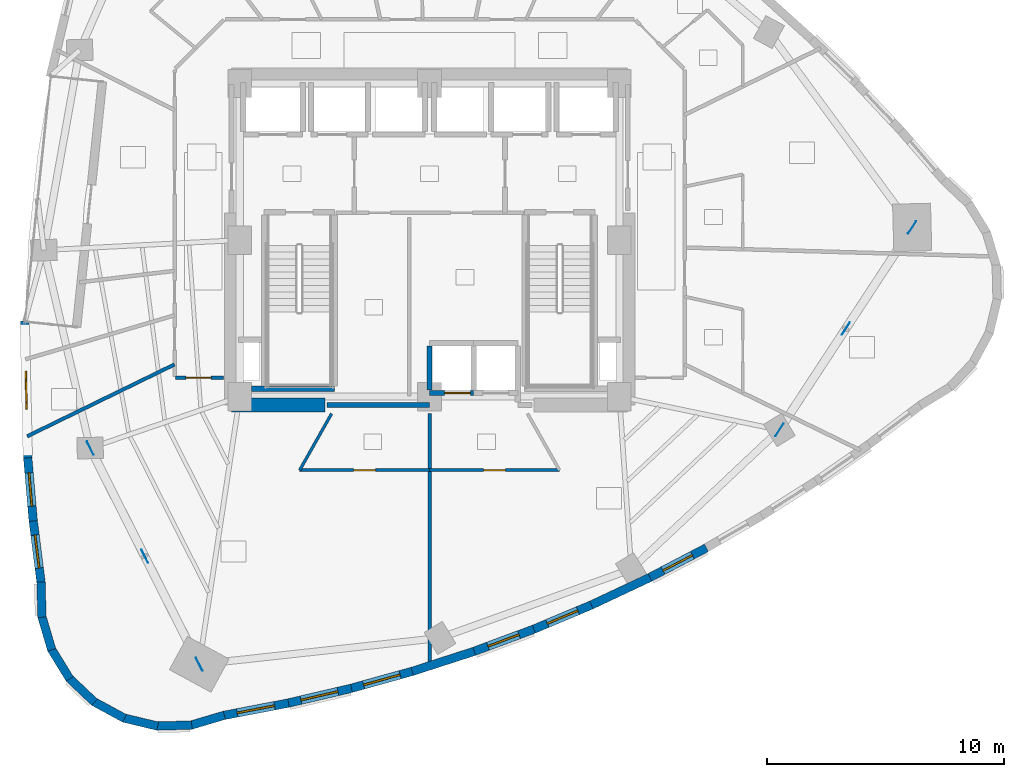
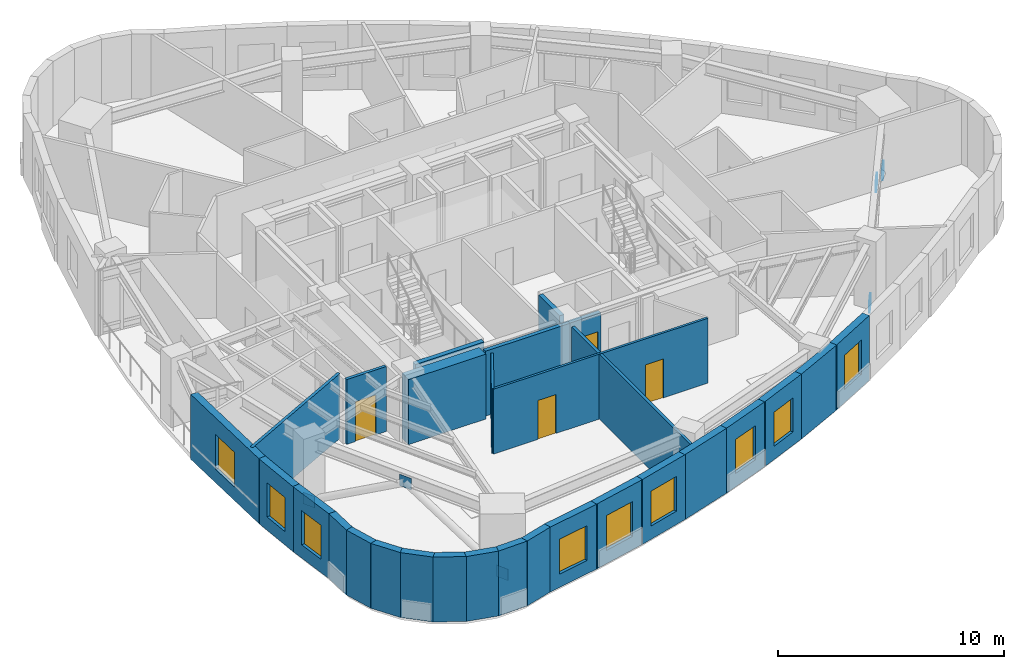
# One storey, part 5 of 12: 30 walls, 9 windows, 6 plates, 4 doors, 13 openings.
"""IFC4 building model written with IfcOpenShell, lengths in metres."""

from ifc_helpers import new_model, si_unit, direction, frame, frame_2d, origin, origin_2d, place, context, subcontext, project, spatial, rectangle, extrude, material, layer, layer_set, type_object, element, fill, save


model = new_model("IFC4")

# Units and contexts
model_context = context("Model", 3, precision=1e-05, world=origin(), true_north=direction((0.0, 1.0)))
body_context = subcontext(model_context, "Body", "Model", "MODEL_VIEW")
ifc_project = project(units=[si_unit("LENGTHUNIT", "METRE"), si_unit("AREAUNIT", "SQUARE_METRE"), si_unit("VOLUMEUNIT", "CUBIC_METRE"), si_unit("PLANEANGLEUNIT", "RADIAN"), si_unit("MASSUNIT", "GRAM", prefix="KILO")], contexts=[model_context])

# Site, building, storey
site_placement = place(None, origin())
site = spatial("IfcSite", under=ifc_project, at=site_placement, CompositionType="ELEMENT")
building_placement = place(site_placement, origin())
building = spatial("IfcBuilding", under=site, at=building_placement, Name="Ndelora Gate Hotel", CompositionType="ELEMENT")
storey_placement = place(building_placement, frame((0.0, 0.0, 104.75)))
storey = spatial("IfcBuildingStorey", under=building, at=storey_placement, Name="L25", CompositionType="ELEMENT", Elevation=104.75)

# Plates
ifc_material_1 = material(Name="Steel S355", Category="steel")
ifc_layer_1 = layer(ifc_material_1, 0.02001953125)
ifc_layer_set_1 = layer_set([ifc_layer_1], Name="Steel S355")
plate_type = type_object("IfcPlateType", Name="PL-NODE-VN1", PredefinedType="USERDEFINED", material=ifc_layer_set_1)
for number, where, z_axis, x_axis, name in (
    (1, (-14.307373046875, -8.767578125, -0.2900390625), (0.0, 0.0, 1.0), (-0.450254288408, 0.892900372813, 0.0), "Node gusset cap plate VN1"),
    (2, (-9.71044921875, -17.884521484375, -0.2900390625), (0.0, 0.0, 1.0), (-0.450254288408, 0.892900372813, 0.0), "Node gusset cap plate VN1"),
    (3, (-12.0087890625, -13.325927734375, 2.639892578125), (0.0, 0.0, 1.0), (-0.450254288408, 0.892900372813, 0.0), "Node gusset cap plate VN1"),
    (4, (14.74658203125, -8.006591796875, -0.2900390625), (0.0, 0.0, 1.0), (0.548147261701, 0.836381838331, 0.0), "Node gusset cap plate VN1"),
    (5, (20.34375, 0.53271484375, -0.2900390625), (0.0, 0.0, 1.0), (0.548147261701, 0.836381838331, 0.0), "Node gusset cap plate VN1"),
    (6, (17.545166015625, -3.737060546875, 2.639892578125), (0.0, 0.0, 1.0), (0.548147261701, 0.836381838331, 0.0), "Node gusset cap plate VN1"),
):
    element("IfcPlate", number, at=place(storey_placement, frame(where, z_axis=z_axis, x_axis=x_axis)), inside=storey, type_object=plate_type, Name=name, ObjectType="GUSSET_PLATE", PredefinedType="USERDEFINED", context=body_context, shape_type="SweptSolid", body=[
        extrude(rectangle(XDim=0.6201171875, YDim=0.02001953125, at=origin_2d()), origin(), (0.0, 0.0, 1.0), 0.6201171875),
    ])

# Wall, opening, window
ifc_material_2 = material(Name="Clay Brick Masonry", Category="masonry")
ifc_layer_2 = layer(ifc_material_2, 0.360107421875)
ifc_layer_set_2 = layer_set([ifc_layer_2], Name="Clay Brick Masonry")
wall_type_1 = type_object("IfcWallType", Name="WL-BRICK-360", PredefinedType="SOLIDWALL", material=ifc_layer_set_2)
wall_1_placement = place(storey_placement, frame((-16.937255859375, -9.235107421875, 0.0), z_axis=(0.0, 0.0, 1.0), x_axis=(-0.022541523753, 0.999745907572, 0.0)))
wall_1 = element("IfcWall", 7, at=wall_1_placement, inside=storey, type_object=wall_type_1, Name="L25 Tower Brick Pier-and-Spandrel Wall TWR-16", PredefinedType="SOLIDWALL", context=body_context, shape_type="SweptSolid", body=[
    extrude(rectangle(XDim=5.826904296875, YDim=0.360107421875, at=frame_2d((2.91357421875, 0.0))), origin(), (0.0, 0.0, 1.0), 3.5),
])
opening_1_placement = place(wall_1_placement, frame((2.11328125, 0.0, 0.719970703125)))
opening_1 = element("IfcOpeningElement", 8, at=opening_1_placement, cuts=wall_1, Name="Opening W01", PredefinedType="OPENING", context=body_context, shape_type="SweptSolid", body=[
    extrude(rectangle(XDim=1.60009765625, YDim=1.8798828125, at=frame_2d((0.800048828125, 0.93994140625))), frame((0.0, 0.18994140625, 0.0), z_axis=(0.0, -1.0, 0.0), x_axis=(1.0, 0.0, 0.0)), (0.0, 0.0, 1.0), 0.380126953125),
])
ifc_material_3 = material(Name="Insulated Low-E Double Glazing in Bronze Aluminium Frame", Category="aluminium")
window_type_1 = type_object("IfcWindowType", Name="WN-DEEP-1600", PartitioningType="SINGLE_PANEL", PredefinedType="WINDOW", material=ifc_material_3)
window_1_placement = place(opening_1_placement, origin())
window_1 = element("IfcWindow", 9, at=window_1_placement, inside=storey, type_object=window_type_1, Name="L25 Deep-Set Brick-Pier Window W01", OverallHeight=1.8798828125, OverallWidth=1.60009765625, PartitioningType="SINGLE_PANEL", PredefinedType="WINDOW", context=body_context, shape_type="SweptSolid", body=[
    extrude(rectangle(XDim=1.60009765625, YDim=1.8798828125, at=frame_2d((0.800048828125, 0.93994140625))), frame((0.0, 0.030029296875, 0.0), z_axis=(0.0, -1.0, 0.0), x_axis=(1.0, 0.0, 0.0)), (0.0, 0.0, 1.0), 0.06005859375),
])
fill(opening_1, window_1)

wall_2_placement = place(storey_placement, frame((-16.70849609375, -11.8447265625, 0.0), z_axis=(0.0, 0.0, 1.0), x_axis=(-0.086700653562, 0.996234408496, 0.0)))
wall_2 = element("IfcWall", 10, at=wall_2_placement, inside=storey, type_object=wall_type_1, Name="L25 Tower Brick Pier-and-Spandrel Wall TWR-17", PredefinedType="SOLIDWALL", context=body_context, shape_type="SweptSolid", body=[
    extrude(rectangle(XDim=2.66943359375, YDim=0.360107421875, at=frame_2d((1.334716796875, 0.0))), origin(), (0.0, 0.0, 1.0), 3.5),
])
opening_2_placement = place(wall_2_placement, frame((0.634765625, 0.0, 0.719970703125)))
opening_2 = element("IfcOpeningElement", 11, at=opening_2_placement, cuts=wall_2, Name="Opening W02", PredefinedType="OPENING", context=body_context, shape_type="SweptSolid", body=[
    extrude(rectangle(XDim=1.39990234375, YDim=1.840087890625, at=frame_2d((0.699951171875, 0.919921875))), frame((0.0, 0.18994140625, 0.0), z_axis=(0.0, -1.0, 0.0), x_axis=(1.0, 0.0, 0.0)), (0.0, 0.0, 1.0), 0.380126953125),
])
window_type_2 = type_object("IfcWindowType", Name="WN-DEEP-1400", PartitioningType="SINGLE_PANEL", PredefinedType="WINDOW", material=ifc_material_3)
window_2_placement = place(opening_2_placement, origin())
window_2 = element("IfcWindow", 12, at=window_2_placement, inside=storey, type_object=window_type_2, Name="L25 Deep-Set Brick-Pier Window W02", OverallHeight=1.840087890625, OverallWidth=1.39990234375, PartitioningType="SINGLE_PANEL", PredefinedType="WINDOW", context=body_context, shape_type="SweptSolid", body=[
    extrude(rectangle(XDim=1.39990234375, YDim=1.840087890625, at=frame_2d((0.699951171875, 0.919921875))), frame((0.0, 0.030029296875, 0.0), z_axis=(0.0, -1.0, 0.0), x_axis=(1.0, 0.0, 0.0)), (0.0, 0.0, 1.0), 0.06005859375),
])
fill(opening_2, window_2)

wall_3_placement = place(storey_placement, frame((-16.376220703125, -14.465576171875, 0.0), z_axis=(0.0, 0.0, 1.0), x_axis=(-0.125441192339, 0.992101056982, 0.0)))
wall_3 = element("IfcWall", 13, at=wall_3_placement, inside=storey, type_object=wall_type_1, Name="L25 Tower Brick Pier-and-Spandrel Wall TWR-18", PredefinedType="SOLIDWALL", context=body_context, shape_type="SweptSolid", body=[
    extrude(rectangle(XDim=2.691650390625, YDim=0.360107421875, at=frame_2d((1.345703125, 0.0))), origin(), (0.0, 0.0, 1.0), 3.5),
])
opening_3_placement = place(wall_3_placement, frame((0.645751953125, 0.0, 0.719970703125)))
opening_3 = element("IfcOpeningElement", 14, at=opening_3_placement, cuts=wall_3, Name="Opening W02", PredefinedType="OPENING", context=body_context, shape_type="SweptSolid", body=[
    extrude(rectangle(XDim=1.39990234375, YDim=1.840087890625, at=frame_2d((0.699951171875, 0.919921875))), frame((0.0, 0.18994140625, 0.0), z_axis=(0.0, -1.0, 0.0), x_axis=(1.0, 0.0, 0.0)), (0.0, 0.0, 1.0), 0.380126953125),
])
window_3_placement = place(opening_3_placement, origin())
window_3 = element("IfcWindow", 15, at=window_3_placement, inside=storey, type_object=window_type_2, Name="L25 Deep-Set Brick-Pier Window W02", OverallHeight=1.840087890625, OverallWidth=1.39990234375, PartitioningType="SINGLE_PANEL", PredefinedType="WINDOW", context=body_context, shape_type="SweptSolid", body=[
    extrude(rectangle(XDim=1.39990234375, YDim=1.840087890625, at=frame_2d((0.699951171875, 0.919921875))), frame((0.0, 0.030029296875, 0.0), z_axis=(0.0, -1.0, 0.0), x_axis=(1.0, 0.0, 0.0)), (0.0, 0.0, 1.0), 0.06005859375),
])
fill(opening_3, window_3)

# Walls
for number, where, z_axis, x_axis, name in (
    (16, (-16.341064453125, -15.90087890625, 0.0), (0.0, 0.0, 1.0), (-0.026293717191, 0.99965426045, 0.0), "L25 Tower Brick Pier-and-Spandrel Wall TWR-19"),
    (17, (-15.927001953125, -17.276611328125, 0.0), (0.0, 0.0, 1.0), (-0.283954048509, 0.958837889497, 0.0), "L25 Tower Brick Pier-and-Spandrel Wall TWR-20"),
):
    element("IfcWall", number, at=place(storey_placement, frame(where, z_axis=z_axis, x_axis=x_axis)), inside=storey, type_object=wall_type_1, Name=name, PredefinedType="SOLIDWALL", context=body_context, shape_type="SweptSolid", body=[
        extrude(rectangle(XDim=1.485595703125, YDim=0.360107421875, at=frame_2d((0.74267578125, 0.0))), origin(), (0.0, 0.0, 1.0), 3.5),
    ])
wall_4_placement = place(storey_placement, frame((-15.170654296875, -18.498291015625, 0.0), z_axis=(0.0, 0.0, 1.0), x_axis=(-0.522519673624, 0.852627228439, 0.0)))
element("IfcWall", 18, at=wall_4_placement, inside=storey, type_object=wall_type_1, Name="L25 Tower Brick Pier-and-Spandrel Wall TWR-21", PredefinedType="SOLIDWALL", context=body_context, shape_type="SweptSolid", body=[
    extrude(rectangle(XDim=1.48583984375, YDim=0.360107421875, at=frame_2d((0.742919921875, 0.0))), origin(), (0.0, 0.0, 1.0), 3.5),
])
wall_5_placement = place(storey_placement, frame((-14.124267578125, -19.482421875, 0.0), z_axis=(0.0, 0.0, 1.0), x_axis=(-0.725352183474, 0.688377955726, 0.0)))
element("IfcWall", 19, at=wall_5_placement, inside=storey, type_object=wall_type_1, Name="L25 Tower Brick Pier-and-Spandrel Wall TWR-22", PredefinedType="SOLIDWALL", context=body_context, shape_type="SweptSolid", body=[
    extrude(rectangle(XDim=1.485595703125, YDim=0.360107421875, at=frame_2d((0.74267578125, 0.0))), origin(), (0.0, 0.0, 1.0), 3.5),
])
wall_6_placement = place(storey_placement, frame((-12.8583984375, -20.162109375, 0.0), z_axis=(0.0, 0.0, 1.0), x_axis=(-0.87890460574, 0.476997582812, 0.0)))
element("IfcWall", 20, at=wall_6_placement, inside=storey, type_object=wall_type_1, Name="L25 Tower Brick Pier-and-Spandrel Wall TWR-23", PredefinedType="SOLIDWALL", context=body_context, shape_type="SweptSolid", body=[
    extrude(rectangle(XDim=1.48583984375, YDim=0.360107421875, at=frame_2d((0.742919921875, 0.0))), origin(), (0.0, 0.0, 1.0), 3.5),
])
wall_7_placement = place(storey_placement, frame((-11.460205078125, -20.4912109375, 0.0), z_axis=(0.0, 0.0, 1.0), x_axis=(-0.972390285352, 0.233360521413, 0.0)))
element("IfcWall", 21, at=wall_7_placement, inside=storey, type_object=wall_type_1, Name="L25 Tower Brick Pier-and-Spandrel Wall TWR-24", PredefinedType="SOLIDWALL", context=body_context, shape_type="SweptSolid", body=[
    extrude(rectangle(XDim=1.485595703125, YDim=0.360107421875, at=frame_2d((0.74267578125, 0.0))), origin(), (0.0, 0.0, 1.0), 3.5),
])
for number, where, z_axis, x_axis, name in (
    (22, (-10.024169921875, -20.447265625, 0.0), (0.0, 0.0, 1.0), (-0.999658678656, -0.026125202154, 0.0), "L25 Tower Brick Pier-and-Spandrel Wall TWR-25"),
    (23, (-8.6484375, -20.032958984375, 0.0), (0.0, 0.0, 1.0), (-0.95879313952, -0.284105113664, 0.0), "L25 Tower Brick Pier-and-Spandrel Wall TWR-26"),
):
    element("IfcWall", number, at=place(storey_placement, frame(where, z_axis=z_axis, x_axis=x_axis)), inside=storey, type_object=wall_type_1, Name=name, PredefinedType="SOLIDWALL", context=body_context, shape_type="SweptSolid", body=[
        extrude(rectangle(XDim=1.48583984375, YDim=0.360107421875, at=frame_2d((0.742919921875, 0.0))), origin(), (0.0, 0.0, 1.0), 3.5),
    ])

# Wall, opening, window
wall_8_placement = place(storey_placement, frame((-5.94580078125, -19.51806640625, 0.0), z_axis=(0.0, 0.0, 1.0), x_axis=(-0.982153479192, -0.188081214668, 0.0)))
wall_8 = element("IfcWall", 24, at=wall_8_placement, inside=storey, type_object=wall_type_1, Name="L25 Tower Brick Pier-and-Spandrel Wall TWR-27", PredefinedType="SOLIDWALL", context=body_context, shape_type="SweptSolid", body=[
    extrude(rectangle(XDim=2.80126953125, YDim=0.360107421875, at=frame_2d((1.400634765625, 0.0))), origin(), (0.0, 0.0, 1.0), 3.5),
])
opening_4_placement = place(wall_8_placement, frame((0.6005859375, 0.0, 0.719970703125)))
opening_4 = element("IfcOpeningElement", 25, at=opening_4_placement, cuts=wall_8, Name="Opening W01", PredefinedType="OPENING", context=body_context, shape_type="SweptSolid", body=[
    extrude(rectangle(XDim=1.60009765625, YDim=1.8798828125, at=frame_2d((0.800048828125, 0.93994140625))), frame((0.0, 0.18994140625, 0.0), z_axis=(0.0, -1.0, 0.0), x_axis=(1.0, 0.0, 0.0)), (0.0, 0.0, 1.0), 0.380126953125),
])
window_4_placement = place(opening_4_placement, origin())
window_4 = element("IfcWindow", 26, at=window_4_placement, inside=storey, type_object=window_type_1, Name="L25 Deep-Set Brick-Pier Window W01", OverallHeight=1.8798828125, OverallWidth=1.60009765625, PartitioningType="SINGLE_PANEL", PredefinedType="WINDOW", context=body_context, shape_type="SweptSolid", body=[
    extrude(rectangle(XDim=1.60009765625, YDim=1.8798828125, at=frame_2d((0.800048828125, 0.93994140625))), frame((0.0, 0.030029296875, 0.0), z_axis=(0.0, -1.0, 0.0), x_axis=(1.0, 0.0, 0.0)), (0.0, 0.0, 1.0), 0.06005859375),
])
fill(opening_4, window_4)

wall_9_placement = place(storey_placement, frame((-3.290283203125, -18.8955078125, 0.0), z_axis=(0.0, 0.0, 1.0), x_axis=(-0.973697722737, -0.227843684873, 0.0)))
wall_9 = element("IfcWall", 27, at=wall_9_placement, inside=storey, type_object=wall_type_1, Name="L25 Tower Brick Pier-and-Spandrel Wall TWR-28", PredefinedType="SOLIDWALL", context=body_context, shape_type="SweptSolid", body=[
    extrude(rectangle(XDim=2.77734375, YDim=0.360107421875, at=frame_2d((1.388671875, 0.0))), origin(), (0.0, 0.0, 1.0), 3.5),
])
opening_5_placement = place(wall_9_placement, frame((0.5888671875, 0.0, 0.719970703125)))
opening_5 = element("IfcOpeningElement", 28, at=opening_5_placement, cuts=wall_9, Name="Opening W01", PredefinedType="OPENING", context=body_context, shape_type="SweptSolid", body=[
    extrude(rectangle(XDim=1.60009765625, YDim=1.8798828125, at=frame_2d((0.800048828125, 0.93994140625))), frame((0.0, 0.18994140625, 0.0), z_axis=(0.0, -1.0, 0.0), x_axis=(1.0, 0.0, 0.0)), (0.0, 0.0, 1.0), 0.380126953125),
])
window_5_placement = place(opening_5_placement, origin())
window_5 = element("IfcWindow", 29, at=window_5_placement, inside=storey, type_object=window_type_1, Name="L25 Deep-Set Brick-Pier Window W01", OverallHeight=1.8798828125, OverallWidth=1.60009765625, PartitioningType="SINGLE_PANEL", PredefinedType="WINDOW", context=body_context, shape_type="SweptSolid", body=[
    extrude(rectangle(XDim=1.60009765625, YDim=1.8798828125, at=frame_2d((0.800048828125, 0.93994140625))), frame((0.0, 0.030029296875, 0.0), z_axis=(0.0, -1.0, 0.0), x_axis=(1.0, 0.0, 0.0)), (0.0, 0.0, 1.0), 0.06005859375),
])
fill(opening_5, window_5)

wall_10_placement = place(storey_placement, frame((-0.680908203125, -18.169189453125, 0.0), z_axis=(0.0, 0.0, 1.0), x_axis=(-0.963469710564, -0.267817319876, 0.0)))
wall_10 = element("IfcWall", 30, at=wall_10_placement, inside=storey, type_object=wall_type_1, Name="L25 Tower Brick Pier-and-Spandrel Wall TWR-29", PredefinedType="SOLIDWALL", context=body_context, shape_type="SweptSolid", body=[
    extrude(rectangle(XDim=2.758544921875, YDim=0.360107421875, at=frame_2d((1.37939453125, 0.0))), origin(), (0.0, 0.0, 1.0), 3.5),
])
opening_6_placement = place(wall_10_placement, frame((0.5791015625, 0.0, 0.719970703125)))
opening_6 = element("IfcOpeningElement", 31, at=opening_6_placement, cuts=wall_10, Name="Opening W03", PredefinedType="OPENING", context=body_context, shape_type="SweptSolid", body=[
    extrude(rectangle(XDim=1.60009765625, YDim=1.8798828125, at=frame_2d((0.800048828125, 0.93994140625))), frame((0.0, 0.18994140625, 0.0), z_axis=(0.0, -1.0, 0.0), x_axis=(1.0, 0.0, 0.0)), (0.0, 0.0, 1.0), 0.380126953125),
])
window_type_3 = type_object("IfcWindowType", Name="WN-CORN-2100", PartitioningType="SINGLE_PANEL", PredefinedType="WINDOW", material=ifc_material_3)
window_6_placement = place(opening_6_placement, origin())
window_6 = element("IfcWindow", 32, at=window_6_placement, inside=storey, type_object=window_type_3, Name="L25 Deep-Set Brick-Pier Window W03", OverallHeight=1.8798828125, OverallWidth=1.60009765625, PartitioningType="SINGLE_PANEL", PredefinedType="WINDOW", context=body_context, shape_type="SweptSolid", body=[
    extrude(rectangle(XDim=1.60009765625, YDim=1.8798828125, at=frame_2d((0.800048828125, 0.93994140625))), frame((0.0, 0.030029296875, 0.0), z_axis=(0.0, -1.0, 0.0), x_axis=(1.0, 0.0, 0.0)), (0.0, 0.0, 1.0), 0.06005859375),
])
fill(opening_6, window_6)

# Wall
wall_11_placement = place(storey_placement, frame((1.8818359375, -17.338623046875, 0.0), z_axis=(0.0, 0.0, 1.0), x_axis=(-0.951405423372, -0.307941098877, 0.0)))
element("IfcWall", 33, at=wall_11_placement, inside=storey, type_object=wall_type_1, Name="L25 Tower Brick Pier-and-Spandrel Wall TWR-30", PredefinedType="SOLIDWALL", context=body_context, shape_type="SweptSolid", body=[
    extrude(rectangle(XDim=2.743896484375, YDim=0.360107421875, at=frame_2d((1.3720703125, 0.0))), origin(), (0.0, 0.0, 1.0), 3.5),
])

# Wall, opening, window
wall_12_placement = place(storey_placement, frame((4.398193359375, -16.404052734375, 0.0), z_axis=(0.0, 0.0, 1.0), x_axis=(-0.937570914704, -0.347794163121, 0.0)))
wall_12 = element("IfcWall", 34, at=wall_12_placement, inside=storey, type_object=wall_type_1, Name="L25 Tower Brick Pier-and-Spandrel Wall TWR-31", PredefinedType="SOLIDWALL", context=body_context, shape_type="SweptSolid", body=[
    extrude(rectangle(XDim=2.734130859375, YDim=0.360107421875, at=frame_2d((1.3671875, 0.0))), origin(), (0.0, 0.0, 1.0), 3.5),
])
opening_7_placement = place(wall_12_placement, frame((0.667236328125, 0.0, 0.719970703125)))
opening_7 = element("IfcOpeningElement", 35, at=opening_7_placement, cuts=wall_12, Name="Opening W02", PredefinedType="OPENING", context=body_context, shape_type="SweptSolid", body=[
    extrude(rectangle(XDim=1.39990234375, YDim=1.840087890625, at=frame_2d((0.699951171875, 0.919921875))), frame((0.0, 0.18994140625, 0.0), z_axis=(0.0, -1.0, 0.0), x_axis=(1.0, 0.0, 0.0)), (0.0, 0.0, 1.0), 0.380126953125),
])
window_7_placement = place(opening_7_placement, origin())
window_7 = element("IfcWindow", 36, at=window_7_placement, inside=storey, type_object=window_type_2, Name="L25 Deep-Set Brick-Pier Window W02", OverallHeight=1.840087890625, OverallWidth=1.39990234375, PartitioningType="SINGLE_PANEL", PredefinedType="WINDOW", context=body_context, shape_type="SweptSolid", body=[
    extrude(rectangle(XDim=1.39990234375, YDim=1.840087890625, at=frame_2d((0.699951171875, 0.919921875))), frame((0.0, 0.030029296875, 0.0), z_axis=(0.0, -1.0, 0.0), x_axis=(1.0, 0.0, 0.0)), (0.0, 0.0, 1.0), 0.06005859375),
])
fill(opening_7, window_7)

wall_13_placement = place(storey_placement, frame((6.868408203125, -15.365478515625, 0.0), z_axis=(0.0, 0.0, 1.0), x_axis=(-0.921993601294, -0.387205112534, 0.0)))
wall_13 = element("IfcWall", 37, at=wall_13_placement, inside=storey, type_object=wall_type_1, Name="L25 Tower Brick Pier-and-Spandrel Wall TWR-32", PredefinedType="SOLIDWALL", context=body_context, shape_type="SweptSolid", body=[
    extrude(rectangle(XDim=2.7294921875, YDim=0.360107421875, at=frame_2d((1.36474609375, 0.0))), origin(), (0.0, 0.0, 1.0), 3.5),
])
opening_8_placement = place(wall_13_placement, frame((0.664794921875, 0.0, 0.719970703125)))
opening_8 = element("IfcOpeningElement", 38, at=opening_8_placement, cuts=wall_13, Name="Opening W02", PredefinedType="OPENING", context=body_context, shape_type="SweptSolid", body=[
    extrude(rectangle(XDim=1.39990234375, YDim=1.840087890625, at=frame_2d((0.699951171875, 0.919921875))), frame((0.0, 0.18994140625, 0.0), z_axis=(0.0, -1.0, 0.0), x_axis=(1.0, 0.0, 0.0)), (0.0, 0.0, 1.0), 0.380126953125),
])
window_8_placement = place(opening_8_placement, origin())
window_8 = element("IfcWindow", 39, at=window_8_placement, inside=storey, type_object=window_type_2, Name="L25 Deep-Set Brick-Pier Window W02", OverallHeight=1.840087890625, OverallWidth=1.39990234375, PartitioningType="SINGLE_PANEL", PredefinedType="WINDOW", context=body_context, shape_type="SweptSolid", body=[
    extrude(rectangle(XDim=1.39990234375, YDim=1.840087890625, at=frame_2d((0.699951171875, 0.919921875))), frame((0.0, 0.030029296875, 0.0), z_axis=(0.0, -1.0, 0.0), x_axis=(1.0, 0.0, 0.0)), (0.0, 0.0, 1.0), 0.06005859375),
])
fill(opening_8, window_8)

# Wall
wall_14_placement = place(storey_placement, frame((9.292236328125, -14.222900390625, 0.0), z_axis=(0.0, 0.0, 1.0), x_axis=(-0.904715296729, -0.426016703739, 0.0)))
element("IfcWall", 40, at=wall_14_placement, inside=storey, type_object=wall_type_1, Name="L25 Tower Brick Pier-and-Spandrel Wall TWR-33", PredefinedType="SOLIDWALL", context=body_context, shape_type="SweptSolid", body=[
    extrude(rectangle(XDim=2.7294921875, YDim=0.360107421875, at=frame_2d((1.36474609375, 0.0))), origin(), (0.0, 0.0, 1.0), 3.5),
])

# Wall, opening, window
wall_15_placement = place(storey_placement, frame((11.669677734375, -12.976318359375, 0.0), z_axis=(0.0, 0.0, 1.0), x_axis=(-0.885821049336, -0.464027012741, 0.0)))
wall_15 = element("IfcWall", 41, at=wall_15_placement, inside=storey, type_object=wall_type_1, Name="L25 Tower Brick Pier-and-Spandrel Wall TWR-34", PredefinedType="SOLIDWALL", context=body_context, shape_type="SweptSolid", body=[
    extrude(rectangle(XDim=2.734375, YDim=0.360107421875, at=frame_2d((1.3671875, 0.0))), origin(), (0.0, 0.0, 1.0), 3.5),
])
opening_9_placement = place(wall_15_placement, frame((0.667236328125, 0.0, 0.719970703125)))
opening_9 = element("IfcOpeningElement", 42, at=opening_9_placement, cuts=wall_15, Name="Opening W02", PredefinedType="OPENING", context=body_context, shape_type="SweptSolid", body=[
    extrude(rectangle(XDim=1.39990234375, YDim=1.840087890625, at=frame_2d((0.699951171875, 0.919921875))), frame((0.0, 0.18994140625, 0.0), z_axis=(0.0, -1.0, 0.0), x_axis=(1.0, 0.0, 0.0)), (0.0, 0.0, 1.0), 0.380126953125),
])
window_9_placement = place(opening_9_placement, origin())
window_9 = element("IfcWindow", 43, at=window_9_placement, inside=storey, type_object=window_type_2, Name="L25 Deep-Set Brick-Pier Window W02", OverallHeight=1.840087890625, OverallWidth=1.39990234375, PartitioningType="SINGLE_PANEL", PredefinedType="WINDOW", context=body_context, shape_type="SweptSolid", body=[
    extrude(rectangle(XDim=1.39990234375, YDim=1.840087890625, at=frame_2d((0.699951171875, 0.919921875))), frame((0.0, 0.030029296875, 0.0), z_axis=(0.0, -1.0, 0.0), x_axis=(1.0, 0.0, 0.0)), (0.0, 0.0, 1.0), 0.06005859375),
])
fill(opening_9, window_9)

# Walls
ifc_material_4 = material(Name="Concrete C60/75", Category="concrete")
ifc_layer_3 = layer(ifc_material_4, 0.60009765625)
ifc_layer_set_3 = layer_set([ifc_layer_3], Name="Concrete C60/75")
wall_type_2 = type_object("IfcWallType", Name="WL-CORE-600", PredefinedType="SHEAR", material=ifc_layer_set_3)
wall_16_placement = place(storey_placement, frame((-8.35009765625, -6.949951171875, 0.0), z_axis=(0.0, 0.0, 1.0), x_axis=(1.0, 0.0, 0.0)))
element("IfcWall", 44, at=wall_16_placement, inside=storey, type_object=wall_type_2, Name="L25 Core Shear Wall S-W", PredefinedType="SHEAR", context=body_context, shape_type="SweptSolid", body=[
    extrude(rectangle(XDim=3.9501953125, YDim=0.60009765625, at=frame_2d((1.97509765625, 0.0))), origin(), (0.0, 0.0, 1.0), 3.5),
])
ifc_material_5 = material(Name="Concrete C40/50", Category="concrete")
ifc_layer_4 = layer(ifc_material_5, 0.199951171875)
ifc_layer_set_4 = layer_set([ifc_layer_4], Name="Concrete C40/50")
wall_type_3 = type_object("IfcWallType", Name="WL-FIRE-200", PredefinedType="PARTITIONING", material=ifc_layer_set_4)
wall_17_placement = place(storey_placement, frame((-4.320068359375, -6.949951171875, 0.0), z_axis=(0.0, 0.0, 1.0), x_axis=(1.0, 0.0, 0.0)))
element("IfcWall", 45, at=wall_17_placement, inside=storey, type_object=wall_type_3, Name="L25 Interior Wall IW-2", PredefinedType="PARTITIONING", context=body_context, shape_type="SweptSolid", body=[
    extrude(rectangle(XDim=4.320068359375, YDim=0.199951171875, at=frame_2d((2.16015625, 0.0))), origin(), (0.0, 0.0, 1.0), 3.5),
])

# Wall, opening, door
ifc_material_6 = material(Name="Fire-Rated Gypsum Stud Partition", Category="gypsum")
ifc_layer_5 = layer(ifc_material_6, 0.14990234375)
ifc_layer_set_5 = layer_set([ifc_layer_5], Name="Fire-Rated Gypsum Stud Partition")
wall_type_4 = type_object("IfcWallType", Name="WL-PART-150", PredefinedType="PARTITIONING", material=ifc_layer_set_5)
wall_18_placement = place(storey_placement, frame((-8.68994140625, -5.800048828125, 0.0), z_axis=(0.0, 0.0, 1.0), x_axis=(-1.0, 0.0, 0.0)))
wall_18 = element("IfcWall", 46, at=wall_18_placement, inside=storey, type_object=wall_type_4, Name="L25 Interior Wall IW-5", PredefinedType="PARTITIONING", context=body_context, shape_type="SweptSolid", body=[
    extrude(rectangle(XDim=2.02001953125, YDim=0.14990234375, at=frame_2d((1.010009765625, 0.0))), origin(), (0.0, 0.0, 1.0), 3.5),
])
opening_10_placement = place(wall_18_placement, frame((0.52001953125, 0.0, 0.0)))
opening_10 = element("IfcOpeningElement", 47, at=opening_10_placement, cuts=wall_18, Name="Opening D07", PredefinedType="OPENING", context=body_context, shape_type="SweptSolid", body=[
    extrude(rectangle(XDim=1.06005859375, YDim=2.14990234375, at=frame_2d((0.530029296875, 1.074951171875))), frame((0.0, 0.0849609375, 0.0), z_axis=(0.0, -1.0, 0.0), x_axis=(1.0, 0.0, 0.0)), (0.0, 0.0, 1.0), 0.169921875),
])
ifc_material_7 = material(Name="Diplomatic Suite Acoustic Entrance Door", Category="wood")
door_type_1 = type_object("IfcDoorType", Name="DR-SUITE-1060", OperationType="SINGLE_SWING_LEFT", PredefinedType="DOOR", material=ifc_material_7)
door_1_placement = place(opening_10_placement, origin())
door_1 = element("IfcDoor", 48, at=door_1_placement, inside=storey, type_object=door_type_1, Name="L25 Club King Corner Suite 2801 Entrance Door", OperationType="SINGLE_SWING_LEFT", OverallHeight=2.14990234375, OverallWidth=1.06005859375, PredefinedType="DOOR", context=body_context, shape_type="SweptSolid", body=[
    extrude(rectangle(XDim=1.06005859375, YDim=2.14990234375, at=frame_2d((0.530029296875, 1.074951171875))), frame((0.0, 0.02490234375, 0.0), z_axis=(0.0, -1.0, 0.0), x_axis=(1.0, 0.0, 0.0)), (0.0, 0.0, 1.0), 0.050048828125),
])
fill(opening_10, door_1)

# Walls
wall_19_placement = place(storey_placement, frame((-10.75, -5.2431640625, 0.0), z_axis=(0.0, 0.0, 1.0), x_axis=(-0.898794257847, -0.438370713052, 0.0)))
element("IfcWall", 49, at=wall_19_placement, inside=storey, type_object=wall_type_4, Name="L25 Interior Wall IW-5", PredefinedType="PARTITIONING", context=body_context, shape_type="SweptSolid", body=[
    extrude(rectangle(XDim=6.908203125, YDim=0.14990234375, at=frame_2d((3.4541015625, 0.0))), origin(), (0.0, 0.0, 1.0), 3.5),
])
wall_20_placement = place(storey_placement, frame((0.0, -7.320068359375, 0.0), z_axis=(0.0, 0.0, 1.0), x_axis=(0.0, -1.0, 0.0)))
element("IfcWall", 50, at=wall_20_placement, inside=storey, type_object=wall_type_4, Name="L25 Interior Wall IW-5", PredefinedType="PARTITIONING", context=body_context, shape_type="SweptSolid", body=[
    extrude(rectangle(XDim=10.62744140625, YDim=0.14990234375, at=frame_2d((5.313720703125, 0.0))), origin(), (0.0, 0.0, 1.0), 3.5),
])

# Wall, opening, door
ifc_layer_6 = layer(ifc_material_5, 0.219970703125)
ifc_layer_set_6 = layer_set([ifc_layer_6], Name="Concrete C40/50")
wall_type_5 = type_object("IfcWallType", Name="WL-SHAFT-220", PredefinedType="PARTITIONING", material=ifc_layer_set_6)
wall_21_placement = place(storey_placement, frame((0.0, -6.449951171875, 0.0), z_axis=(0.0, 0.0, 1.0), x_axis=(1.0, 0.0, 0.0)))
wall_21 = element("IfcWall", 51, at=wall_21_placement, inside=storey, type_object=wall_type_5, Name="L25 Interior Wall IW-1", PredefinedType="PARTITIONING", context=body_context, shape_type="SweptSolid", body=[
    extrude(rectangle(XDim=1.860107421875, YDim=0.219970703125, at=frame_2d((0.93017578125, 0.0))), origin(), (0.0, 0.0, 1.0), 3.1201171875),
])
opening_11_placement = place(wall_21_placement, frame((0.639892578125, 0.0, 0.0)))
opening_11 = element("IfcOpeningElement", 52, at=opening_11_placement, cuts=wall_21, Name="Opening LD2", PredefinedType="OPENING", context=body_context, shape_type="SweptSolid", body=[
    extrude(rectangle(XDim=1.080078125, YDim=2.14990234375, at=frame_2d((0.5400390625, 1.074951171875))), frame((0.0, 0.1201171875, 0.0), z_axis=(0.0, -1.0, 0.0), x_axis=(1.0, 0.0, 0.0)), (0.0, 0.0, 1.0), 0.239990234375),
])
ifc_material_8 = material(Name="Brushed Bronze Stainless Lift Landing Door", Category="metal")
door_type_2 = type_object("IfcDoorType", Name="DR-LD2", OperationType="DOUBLE_DOOR_SLIDING", PredefinedType="DOOR", material=ifc_material_8)
door_2_placement = place(opening_11_placement, origin())
door_2 = element("IfcDoor", 53, at=door_2_placement, inside=storey, type_object=door_type_2, Name="L25 Lift Landing Sliding Door P2A", OperationType="DOUBLE_DOOR_SLIDING", OverallHeight=2.14990234375, OverallWidth=1.080078125, PredefinedType="DOOR", context=body_context, shape_type="SweptSolid", body=[
    extrude(rectangle(XDim=1.080078125, YDim=2.14990234375, at=frame_2d((0.5400390625, 1.074951171875))), frame((0.0, 0.02490234375, 0.0), z_axis=(0.0, -1.0, 0.0), x_axis=(1.0, 0.0, 0.0)), (0.0, 0.0, 1.0), 0.050048828125),
])
fill(opening_11, door_2)

# Walls
wall_22_placement = place(storey_placement, frame((0.0, -6.330078125, 0.0), z_axis=(0.0, 0.0, 1.0), x_axis=(0.0, 1.0, 0.0)))
element("IfcWall", 54, at=wall_22_placement, inside=storey, type_object=wall_type_5, Name="L25 Interior Wall IW-1", PredefinedType="PARTITIONING", context=body_context, shape_type="SweptSolid", body=[
    extrude(rectangle(XDim=1.860107421875, YDim=0.219970703125, at=frame_2d((0.93017578125, 0.0))), origin(), (0.0, 0.0, 1.0), 3.5),
])
ifc_material_9 = material(Name="Concrete C50/60", Category="concrete")
ifc_layer_7 = layer(ifc_material_9, 0.239990234375)
ifc_layer_set_7 = layer_set([ifc_layer_7], Name="Concrete C50/60")
wall_type_6 = type_object("IfcWallType", Name="WL-STAIR-240", PredefinedType="SHEAR", material=ifc_layer_set_7)
wall_23_placement = place(storey_placement, frame((-7.5, -6.27001953125, 0.0), z_axis=(0.0, 0.0, 1.0), x_axis=(1.0, 0.0, 0.0)))
element("IfcWall", 55, at=wall_23_placement, inside=storey, type_object=wall_type_6, Name="L25 Stair Core Shear Wall SW-ST", PredefinedType="SHEAR", context=body_context, shape_type="SweptSolid", body=[
    extrude(rectangle(XDim=3.489990234375, YDim=0.239990234375, at=frame_2d((1.7451171875, 0.0))), origin(), (0.0, 0.0, 1.0), 3.5),
])

# Wall, opening, door
ifc_material_10 = material(Name="Moisture-Resistant Bathroom Tile Partition", Category="gypsum")
ifc_layer_8 = layer(ifc_material_10, 0.1201171875)
ifc_layer_set_8 = layer_set([ifc_layer_8], Name="Moisture-Resistant Bathroom Tile Partition")
wall_type_7 = type_object("IfcWallType", Name="WL-WET-120", PredefinedType="PARTITIONING", material=ifc_layer_set_8)
wall_24_placement = place(storey_placement, frame((0.0, -9.699951171875, 0.0), z_axis=(0.0, 0.0, 1.0), x_axis=(-1.0, 0.0, 0.0)))
wall_24 = element("IfcWall", 56, at=wall_24_placement, inside=storey, type_object=wall_type_7, Name="L25 Interior Wall IW-7", PredefinedType="PARTITIONING", context=body_context, shape_type="SweptSolid", body=[
    extrude(rectangle(XDim=5.474609375, YDim=0.1201171875, at=frame_2d((2.7373046875, 0.0))), origin(), (0.0, 0.0, 1.0), 3.5),
])
opening_12_placement = place(wall_24_placement, frame((2.27734375, 0.0, 0.0)))
opening_12 = element("IfcOpeningElement", 57, at=opening_12_placement, cuts=wall_24, Name="Opening D03", PredefinedType="OPENING", context=body_context, shape_type="SweptSolid", body=[
    extrude(rectangle(XDim=0.919921875, YDim=2.10009765625, at=frame_2d((0.4599609375, 1.050048828125))), frame((0.0, 0.070068359375, 0.0), z_axis=(0.0, -1.0, 0.0), x_axis=(1.0, 0.0, 0.0)), (0.0, 0.0, 1.0), 0.14013671875),
])
ifc_material_11 = material(Name="Moisture-Resistant Hardwood En-Suite Door", Category="wood")
door_type_3 = type_object("IfcDoorType", Name="DR-BATH-920", OperationType="SINGLE_SWING_LEFT", PredefinedType="DOOR", material=ifc_material_11)
door_3_placement = place(opening_12_placement, origin())
door_3 = element("IfcDoor", 58, at=door_3_placement, inside=storey, type_object=door_type_3, Name="L25 En-suite Bathroom 2801 Door", OperationType="SINGLE_SWING_RIGHT", OverallHeight=2.10009765625, OverallWidth=0.919921875, PredefinedType="DOOR", context=body_context, shape_type="SweptSolid", body=[
    extrude(rectangle(XDim=0.919921875, YDim=2.10009765625, at=frame_2d((0.4599609375, 1.050048828125))), frame((0.0, 0.02490234375, 0.0), z_axis=(0.0, -1.0, 0.0), x_axis=(1.0, 0.0, 0.0)), (0.0, 0.0, 1.0), 0.050048828125),
])
fill(opening_12, door_3)

# Wall
wall_25_placement = place(storey_placement, frame((-5.474609375, -9.699951171875, 0.0), z_axis=(0.0, 0.0, 1.0), x_axis=(0.491533175525, 0.870858850422, 0.0)))
element("IfcWall", 59, at=wall_25_placement, inside=storey, type_object=wall_type_7, Name="L25 Interior Wall IW-7", PredefinedType="PARTITIONING", context=body_context, shape_type="SweptSolid", body=[
    extrude(rectangle(XDim=2.73291015625, YDim=0.1201171875, at=frame_2d((1.366455078125, 0.0))), origin(), (0.0, 0.0, 1.0), 3.5),
])

# Wall, opening, door
wall_26_placement = place(storey_placement, frame((5.474609375, -9.699951171875, 0.0), z_axis=(0.0, 0.0, 1.0), x_axis=(-1.0, 0.0, 0.0)))
wall_26 = element("IfcWall", 60, at=wall_26_placement, inside=storey, type_object=wall_type_7, Name="L25 Interior Wall IW-7", PredefinedType="PARTITIONING", context=body_context, shape_type="SweptSolid", body=[
    extrude(rectangle(XDim=5.474609375, YDim=0.1201171875, at=frame_2d((2.7373046875, 0.0))), origin(), (0.0, 0.0, 1.0), 3.5),
])
opening_13_placement = place(wall_26_placement, frame((2.27734375, 0.0, 0.0)))
opening_13 = element("IfcOpeningElement", 61, at=opening_13_placement, cuts=wall_26, Name="Opening D03", PredefinedType="OPENING", context=body_context, shape_type="SweptSolid", body=[
    extrude(rectangle(XDim=0.919921875, YDim=2.10009765625, at=frame_2d((0.4599609375, 1.050048828125))), frame((0.0, 0.070068359375, 0.0), z_axis=(0.0, -1.0, 0.0), x_axis=(1.0, 0.0, 0.0)), (0.0, 0.0, 1.0), 0.14013671875),
])
door_4_placement = place(opening_13_placement, origin())
door_4 = element("IfcDoor", 62, at=door_4_placement, inside=storey, type_object=door_type_3, Name="L25 En-suite Bathroom 2802 Door", OperationType="SINGLE_SWING_LEFT", OverallHeight=2.10009765625, OverallWidth=0.919921875, PredefinedType="DOOR", context=body_context, shape_type="SweptSolid", body=[
    extrude(rectangle(XDim=0.919921875, YDim=2.10009765625, at=frame_2d((0.4599609375, 1.050048828125))), frame((0.0, 0.02490234375, 0.0), z_axis=(0.0, -1.0, 0.0), x_axis=(1.0, 0.0, 0.0)), (0.0, 0.0, 1.0), 0.050048828125),
])
fill(opening_13, door_4)

save(model, "model.ifc")
